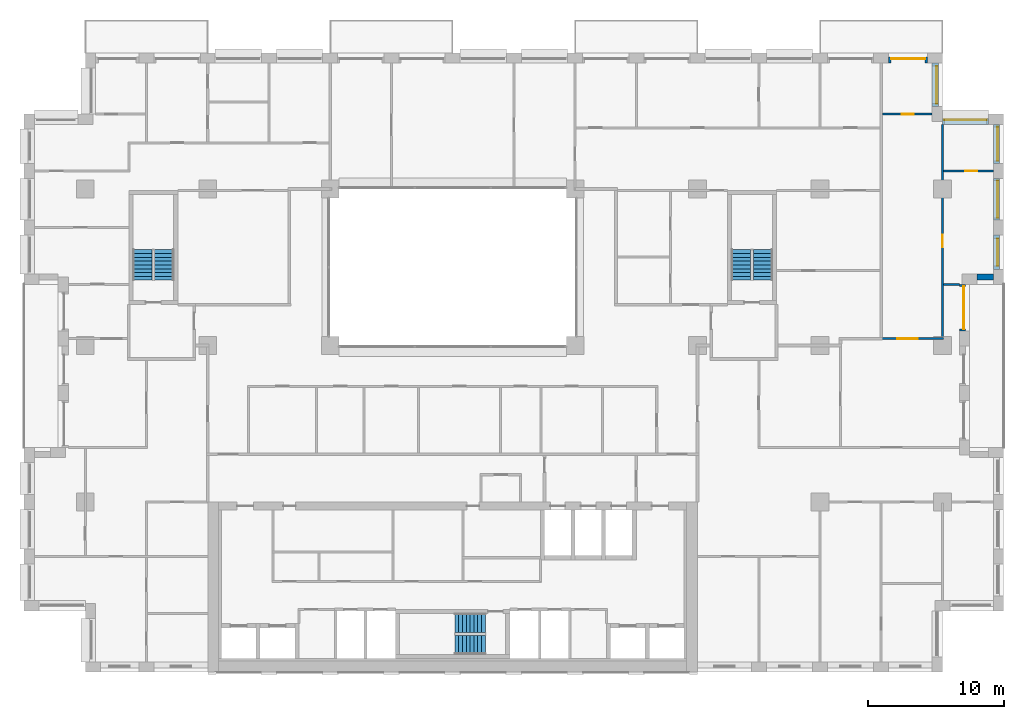
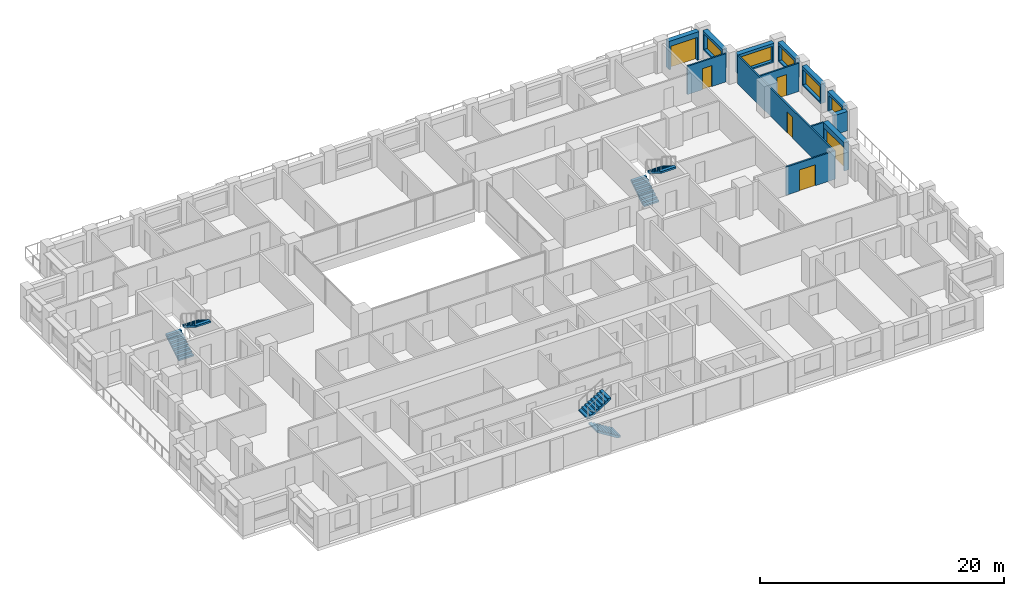
# One storey, part 15 of 17: 13 walls, 6 doors, 6 stair flights, 5 windows, 11 openings, 3 elements without a shape of their own.
"""IFC4 building model written with IfcOpenShell, lengths in metres."""

from ifc_helpers import new_model, si_unit, direction, frame, frame_2d, origin, place, context, subcontext, project, spatial, polyline, rectangle, outline, extrude, material, layer, layer_set, type_object, element, fill, aggregate, save


model = new_model("IFC4")

# Units and contexts
model_context = context("Model", 3, precision=1e-05, world=origin(), true_north=direction((0.0, 1.0)))
body_context = subcontext(model_context, "Body", "Model", "MODEL_VIEW")
ifc_project = project(units=[si_unit("LENGTHUNIT", "METRE"), si_unit("AREAUNIT", "SQUARE_METRE"), si_unit("VOLUMEUNIT", "CUBIC_METRE"), si_unit("PLANEANGLEUNIT", "RADIAN"), si_unit("MASSUNIT", "GRAM", prefix="KILO")], contexts=[model_context])

# Site, building, storey
site_placement = place(None, origin())
site = spatial("IfcSite", under=ifc_project, at=site_placement, CompositionType="ELEMENT")
building_placement = place(site_placement, origin())
building = spatial("IfcBuilding", under=site, at=building_placement, Name="Brigalow Station Residences", CompositionType="ELEMENT")
storey_placement = place(building_placement, frame((0.0, 0.0, 96.14990234375)))
storey = spatial("IfcBuildingStorey", under=building, at=storey_placement, Name="L27", CompositionType="ELEMENT", Elevation=96.14990234375)

# Wall, opening, door
ifc_material_1 = material(Name="Clay brick masonry", Category="masonry")
ifc_layer_1 = layer(ifc_material_1, 0.449951171875)
ifc_layer_set_1 = layer_set([ifc_layer_1], Name="BRICK INFILL WALL 450")
wall_type_1 = type_object("IfcWallType", Name="BRICK INFILL WALL 450", PredefinedType="SOLIDWALL", material=ifc_layer_set_1)
wall_1_placement = place(storey_placement, frame((73.47509765625, 25.050048828125, 0.0), z_axis=(0.0, 0.0, 1.0), x_axis=(0.0, 1.0, 0.0)))
wall_1 = element("IfcWall", 1, at=wall_1_placement, inside=storey, type_object=wall_type_1, Name="L27/ewall/W-L27-16", PredefinedType="SOLIDWALL", context=body_context, shape_type="SweptSolid", body=[
    extrude(rectangle(XDim=3.449951171875, YDim=0.449951171875, at=frame_2d((1.72509765625, 0.0))), origin(), (0.0, 0.0, 1.0), 2.830078125),
])
opening_1_placement = place(wall_1_placement, frame((0.14990234375, 0.0, 0.0)))
opening_1 = element("IfcOpeningElement", 2, at=opening_1_placement, cuts=wall_1, Name="Opening D-B3150", PredefinedType="OPENING", context=body_context, shape_type="SweptSolid", body=[
    extrude(rectangle(XDim=3.14990234375, YDim=2.300048828125, at=frame_2d((1.574951171875, 1.14990234375))), frame((0.0, 0.23486328125, 0.0), z_axis=(0.0, -1.0, 0.0), x_axis=(1.0, 0.0, 0.0)), (0.0, 0.0, 1.0), 0.469970703125),
])
ifc_material_2 = material(Name="Anodised aluminium frame with double glazing", Category="aluminium")
door_type_1 = type_object("IfcDoorType", Name="BALCONY SLIDING DOOR 3150x2300", OperationType="SLIDING_TO_LEFT", PredefinedType="DOOR", material=ifc_material_2)
door_1_placement = place(opening_1_placement, origin())
door_1 = element("IfcDoor", 3, at=door_1_placement, inside=storey, type_object=door_type_1, Name="L27/balcony-door/W-L27-16", OperationType="SLIDING_TO_LEFT", OverallHeight=2.300048828125, OverallWidth=3.14990234375, PredefinedType="DOOR", context=body_context, shape_type="SweptSolid", body=[
    extrude(rectangle(XDim=3.14990234375, YDim=2.300048828125, at=frame_2d((1.574951171875, 1.14990234375))), frame((0.0, -0.06982421875, 0.0), z_axis=(0.0, -1.0, 0.0), x_axis=(1.0, 0.0, 0.0)), (0.0, 0.0, 1.0), 0.050048828125),
])
fill(opening_1, door_1)

# Wall
wall_2_placement = place(storey_placement, frame((74.550048828125, 29.02490234375, 0.900146484375), z_axis=(0.0, 0.0, 1.0), x_axis=(1.0, 0.0, 0.0)))
element("IfcWall", 4, at=wall_2_placement, inside=storey, type_object=wall_type_1, Name="L27/ewall/W-L27-17", PredefinedType="SOLIDWALL", context=body_context, shape_type="SweptSolid", body=[
    extrude(rectangle(XDim=1.199951171875, YDim=0.449951171875, at=frame_2d((0.60009765625, 0.0))), origin(), (0.0, 0.0, 1.0), 1.929931640625),
])

# Wall, opening, window
wall_3_placement = place(storey_placement, frame((75.97509765625, 29.60009765625, 0.900146484375), z_axis=(0.0, 0.0, 1.0), x_axis=(0.0, 1.0, 0.0)))
wall_3 = element("IfcWall", 5, at=wall_3_placement, inside=storey, type_object=wall_type_1, Name="L27/ewall/W-L27-18", PredefinedType="SOLIDWALL", context=body_context, shape_type="SweptSolid", body=[
    extrude(rectangle(XDim=2.516845703125, YDim=0.449951171875, at=frame_2d((1.25830078125, 0.0))), origin(), (0.0, 0.0, 1.0), 1.929931640625),
])
opening_2_placement = place(wall_3_placement, frame((0.258544921875, 0.0, 0.14990234375)))
opening_2 = element("IfcOpeningElement", 6, at=opening_2_placement, cuts=wall_3, Name="Opening WT-7", PredefinedType="OPENING", context=body_context, shape_type="SweptSolid", body=[
    extrude(rectangle(XDim=2.0, YDim=1.5, at=frame_2d((1.0, 0.75))), frame((0.0, 0.23486328125, 0.0), z_axis=(0.0, -1.0, 0.0), x_axis=(1.0, 0.0, 0.0)), (0.0, 0.0, 1.0), 0.469970703125),
])
ifc_material_3 = material(Name="Anodised aluminium frame with double glazing", Category="aluminium")
window_type_1 = type_object("IfcWindowType", Name="WINDOW 2000x1500", PartitioningType="SINGLE_PANEL", PredefinedType="WINDOW", material=ifc_material_3)
window_1_placement = place(opening_2_placement, origin())
window_1 = element("IfcWindow", 7, at=window_1_placement, inside=storey, type_object=window_type_1, Name="L27/window/W-L27-18", OverallHeight=1.5, OverallWidth=2.0, PartitioningType="SINGLE_PANEL", PredefinedType="WINDOW", context=body_context, shape_type="SweptSolid", body=[
    extrude(rectangle(XDim=2.0, YDim=1.5, at=frame_2d((1.0, 0.75))), frame((0.0, -0.06494140625, 0.0), z_axis=(0.0, -1.0, 0.0), x_axis=(1.0, 0.0, 0.0)), (0.0, 0.0, 1.0), 0.06005859375),
])
fill(opening_2, window_1)

wall_4_placement = place(storey_placement, frame((75.97509765625, 33.217041015625, 0.900146484375), z_axis=(0.0, 0.0, 1.0), x_axis=(0.0, 1.0, 0.0)))
wall_4 = element("IfcWall", 8, at=wall_4_placement, inside=storey, type_object=wall_type_1, Name="L27/ewall/W-L27-19", PredefinedType="SOLIDWALL", context=body_context, shape_type="SweptSolid", body=[
    extrude(rectangle(XDim=3.06591796875, YDim=0.449951171875, at=frame_2d((1.532958984375, 0.0))), origin(), (0.0, 0.0, 1.0), 1.929931640625),
])
opening_3_placement = place(wall_4_placement, frame((0.157958984375, 0.0, 0.14990234375)))
opening_3 = element("IfcOpeningElement", 9, at=opening_3_placement, cuts=wall_4, Name="Opening WT-3", PredefinedType="OPENING", context=body_context, shape_type="SweptSolid", body=[
    extrude(rectangle(XDim=2.75, YDim=1.5, at=frame_2d((1.375, 0.75))), frame((0.0, 0.23486328125, 0.0), z_axis=(0.0, -1.0, 0.0), x_axis=(1.0, 0.0, 0.0)), (0.0, 0.0, 1.0), 0.469970703125),
])
ifc_material_4 = material(Name="Anodised aluminium frame with double glazing", Category="aluminium")
window_type_2 = type_object("IfcWindowType", Name="WINDOW 2750x1500", PartitioningType="SINGLE_PANEL", PredefinedType="WINDOW", material=ifc_material_4)
window_2_placement = place(opening_3_placement, origin())
window_2 = element("IfcWindow", 10, at=window_2_placement, inside=storey, type_object=window_type_2, Name="L27/window/W-L27-19", OverallHeight=1.5, OverallWidth=2.75, PartitioningType="SINGLE_PANEL", PredefinedType="WINDOW", context=body_context, shape_type="SweptSolid", body=[
    extrude(rectangle(XDim=2.75, YDim=1.5, at=frame_2d((1.375, 0.75))), frame((0.0, -0.06494140625, 0.0), z_axis=(0.0, -1.0, 0.0), x_axis=(1.0, 0.0, 0.0)), (0.0, 0.0, 1.0), 0.06005859375),
])
fill(opening_3, window_2)

wall_5_placement = place(storey_placement, frame((75.97509765625, 37.383056640625, 0.900146484375), z_axis=(0.0, 0.0, 1.0), x_axis=(0.0, 1.0, 0.0)))
wall_5 = element("IfcWall", 11, at=wall_5_placement, inside=storey, type_object=wall_type_1, Name="L27/ewall/W-L27-20", PredefinedType="SOLIDWALL", context=body_context, shape_type="SweptSolid", body=[
    extrude(rectangle(XDim=2.866943359375, YDim=0.449951171875, at=frame_2d((1.43359375, 0.0))), origin(), (0.0, 0.0, 1.0), 1.929931640625),
])
opening_4_placement = place(wall_5_placement, frame((0.18359375, 0.0, 0.14990234375)))
opening_4 = element("IfcOpeningElement", 12, at=opening_4_placement, cuts=wall_5, Name="Opening WT-5", PredefinedType="OPENING", context=body_context, shape_type="SweptSolid", body=[
    extrude(rectangle(XDim=2.5, YDim=1.5, at=frame_2d((1.25, 0.75))), frame((0.0, 0.23486328125, 0.0), z_axis=(0.0, -1.0, 0.0), x_axis=(1.0, 0.0, 0.0)), (0.0, 0.0, 1.0), 0.469970703125),
])
ifc_material_5 = material(Name="Anodised aluminium frame with double glazing", Category="aluminium")
window_type_3 = type_object("IfcWindowType", Name="WINDOW 2500x1500", PartitioningType="SINGLE_PANEL", PredefinedType="WINDOW", material=ifc_material_5)
window_3_placement = place(opening_4_placement, origin())
window_3 = element("IfcWindow", 13, at=window_3_placement, inside=storey, type_object=window_type_3, Name="L27/window/W-L27-20", OverallHeight=1.5, OverallWidth=2.5, PartitioningType="SINGLE_PANEL", PredefinedType="WINDOW", context=body_context, shape_type="SweptSolid", body=[
    extrude(rectangle(XDim=2.5, YDim=1.5, at=frame_2d((1.25, 0.75))), frame((0.0, -0.06494140625, 0.0), z_axis=(0.0, -1.0, 0.0), x_axis=(1.0, 0.0, 0.0)), (0.0, 0.0, 1.0), 0.06005859375),
])
fill(opening_4, window_3)

wall_6_placement = place(storey_placement, frame((75.39990234375, 40.47509765625, 0.900146484375), z_axis=(0.0, 0.0, 1.0), x_axis=(-1.0, 0.0, 0.0)))
wall_6 = element("IfcWall", 14, at=wall_6_placement, inside=storey, type_object=wall_type_1, Name="L27/ewall/W-L27-21", PredefinedType="SOLIDWALL", context=body_context, shape_type="SweptSolid", body=[
    extrude(rectangle(XDim=3.39990234375, YDim=0.449951171875, at=frame_2d((1.699951171875, 0.0))), origin(), (0.0, 0.0, 1.0), 1.929931640625),
])
opening_5_placement = place(wall_6_placement, frame((0.14990234375, 0.0, 0.14990234375)))
opening_5 = element("IfcOpeningElement", 15, at=opening_5_placement, cuts=wall_6, Name="Opening WT-8", PredefinedType="OPENING", context=body_context, shape_type="SweptSolid", body=[
    extrude(rectangle(XDim=3.10009765625, YDim=1.5, at=frame_2d((1.550048828125, 0.75))), frame((0.0, 0.23486328125, 0.0), z_axis=(0.0, -1.0, 0.0), x_axis=(1.0, 0.0, 0.0)), (0.0, 0.0, 1.0), 0.469970703125),
])
ifc_material_6 = material(Name="Anodised aluminium frame with double glazing", Category="aluminium")
window_type_4 = type_object("IfcWindowType", Name="WINDOW 3100x1500", PartitioningType="SINGLE_PANEL", PredefinedType="WINDOW", material=ifc_material_6)
window_4_placement = place(opening_5_placement, origin())
window_4 = element("IfcWindow", 16, at=window_4_placement, inside=storey, type_object=window_type_4, Name="L27/window/W-L27-21", OverallHeight=1.5, OverallWidth=3.10009765625, PartitioningType="SINGLE_PANEL", PredefinedType="WINDOW", context=body_context, shape_type="SweptSolid", body=[
    extrude(rectangle(XDim=3.10009765625, YDim=1.5, at=frame_2d((1.550048828125, 0.75))), frame((0.0, -0.06494140625, 0.0), z_axis=(0.0, -1.0, 0.0), x_axis=(1.0, 0.0, 0.0)), (0.0, 0.0, 1.0), 0.06005859375),
])
fill(opening_5, window_4)

wall_7_placement = place(storey_placement, frame((71.47509765625, 41.550048828125, 0.900146484375), z_axis=(0.0, 0.0, 1.0), x_axis=(0.0, 1.0, 0.0)))
wall_7 = element("IfcWall", 17, at=wall_7_placement, inside=storey, type_object=wall_type_1, Name="L27/ewall/W-L27-22", PredefinedType="SOLIDWALL", context=body_context, shape_type="SweptSolid", body=[
    extrude(rectangle(XDim=3.199951171875, YDim=0.449951171875, at=frame_2d((1.60009765625, 0.0))), origin(), (0.0, 0.0, 1.0), 1.929931640625),
])
opening_6_placement = place(wall_7_placement, frame((0.22509765625, 0.0, 0.14990234375)))
opening_6 = element("IfcOpeningElement", 18, at=opening_6_placement, cuts=wall_7, Name="Opening WT-3", PredefinedType="OPENING", context=body_context, shape_type="SweptSolid", body=[
    extrude(rectangle(XDim=2.75, YDim=1.5, at=frame_2d((1.375, 0.75))), frame((0.0, 0.23486328125, 0.0), z_axis=(0.0, -1.0, 0.0), x_axis=(1.0, 0.0, 0.0)), (0.0, 0.0, 1.0), 0.469970703125),
])
window_5_placement = place(opening_6_placement, origin())
window_5 = element("IfcWindow", 19, at=window_5_placement, inside=storey, type_object=window_type_2, Name="L27/window/W-L27-22", OverallHeight=1.5, OverallWidth=2.75, PartitioningType="SINGLE_PANEL", PredefinedType="WINDOW", context=body_context, shape_type="SweptSolid", body=[
    extrude(rectangle(XDim=2.75, YDim=1.5, at=frame_2d((1.375, 0.75))), frame((0.0, -0.06494140625, 0.0), z_axis=(0.0, -1.0, 0.0), x_axis=(1.0, 0.0, 0.0)), (0.0, 0.0, 1.0), 0.06005859375),
])
fill(opening_6, window_5)

# Wall, opening, door
wall_8_placement = place(storey_placement, frame((70.89990234375, 44.97509765625, 0.0), z_axis=(0.0, 0.0, 1.0), x_axis=(-1.0, 0.0, 0.0)))
wall_8 = element("IfcWall", 20, at=wall_8_placement, inside=storey, type_object=wall_type_1, Name="L27/ewall/W-L27-23", PredefinedType="SOLIDWALL", context=body_context, shape_type="SweptSolid", body=[
    extrude(rectangle(XDim=2.849853515625, YDim=0.449951171875, at=frame_2d((1.4248046875, 0.0))), origin(), (0.0, 0.0, 1.0), 2.830078125),
])
opening_7_placement = place(wall_8_placement, frame((0.175048828125, 0.0, 0.0)))
opening_7 = element("IfcOpeningElement", 21, at=opening_7_placement, cuts=wall_8, Name="Opening D-B2500", PredefinedType="OPENING", context=body_context, shape_type="SweptSolid", body=[
    extrude(rectangle(XDim=2.5, YDim=2.300048828125, at=frame_2d((1.25, 1.14990234375))), frame((0.0, 0.23486328125, 0.0), z_axis=(0.0, -1.0, 0.0), x_axis=(1.0, 0.0, 0.0)), (0.0, 0.0, 1.0), 0.469970703125),
])
ifc_material_7 = material(Name="Anodised aluminium frame with double glazing", Category="aluminium")
door_type_2 = type_object("IfcDoorType", Name="BALCONY SLIDING DOOR 2500x2300", OperationType="SLIDING_TO_LEFT", PredefinedType="DOOR", material=ifc_material_7)
door_2_placement = place(opening_7_placement, origin())
door_2 = element("IfcDoor", 22, at=door_2_placement, inside=storey, type_object=door_type_2, Name="L27/balcony-door/W-L27-23", OperationType="SLIDING_TO_LEFT", OverallHeight=2.300048828125, OverallWidth=2.5, PredefinedType="DOOR", context=body_context, shape_type="SweptSolid", body=[
    extrude(rectangle(XDim=2.5, YDim=2.300048828125, at=frame_2d((1.25, 1.14990234375))), frame((0.0, -0.06982421875, 0.0), z_axis=(0.0, -1.0, 0.0), x_axis=(1.0, 0.0, 0.0)), (0.0, 0.0, 1.0), 0.050048828125),
])
fill(opening_7, door_2)

ifc_material_8 = material(Name="Plasterboard on steel stud partition", Category="steel")
ifc_layer_2 = layer(ifc_material_8, 0.14990234375)
ifc_layer_set_2 = layer_set([ifc_layer_2], Name="FLAT PARTITION 150")
wall_type_2 = type_object("IfcWallType", Name="FLAT PARTITION 150", PredefinedType="PARTITIONING", material=ifc_layer_set_2)
wall_9_placement = place(storey_placement, frame((67.39990234375, 24.5, 0.0), z_axis=(0.0, 0.0, 1.0), x_axis=(1.0, 0.0, 0.0)))
wall_9 = element("IfcWall", 23, at=wall_9_placement, inside=storey, type_object=wall_type_2, Name="PW-2B19", PredefinedType="PARTITIONING", context=body_context, shape_type="SweptSolid", body=[
    extrude(rectangle(XDim=4.675048828125, YDim=0.14990234375, at=frame_2d((2.33740234375, 0.0))), origin(), (0.0, 0.0, 1.0), 2.830078125),
])
opening_8_placement = place(wall_9_placement, frame((1.27490234375, 0.0, 0.0)))
opening_8 = element("IfcOpeningElement", 24, at=opening_8_placement, cuts=wall_9, Name="Opening D-2B43", PredefinedType="OPENING", context=body_context, shape_type="SweptSolid", body=[
    extrude(rectangle(XDim=1.5, YDim=2.10009765625, at=frame_2d((0.75, 1.050048828125))), frame((0.0, 0.0849609375, 0.0), z_axis=(0.0, -1.0, 0.0), x_axis=(1.0, 0.0, 0.0)), (0.0, 0.0, 1.0), 0.169921875),
])
ifc_material_9 = material(Name="Solid-core timber door leaf", Category="wood")
door_type_3 = type_object("IfcDoorType", Name="INTERNAL DOUBLE DOOR 1500 x 2100", OperationType="DOUBLE_DOOR_SINGLE_SWING", PredefinedType="DOOR", material=ifc_material_9)
door_3_placement = place(opening_8_placement, origin())
door_3 = element("IfcDoor", 25, at=door_3_placement, inside=storey, type_object=door_type_3, Name="D-2B43", OperationType="DOUBLE_DOOR_SINGLE_SWING", OverallHeight=2.10009765625, OverallWidth=1.5, PredefinedType="DOOR", context=body_context, shape_type="SweptSolid", body=[
    extrude(rectangle(XDim=1.5, YDim=2.10009765625, at=frame_2d((0.75, 1.050048828125))), frame((0.0, 0.02490234375, 0.0), z_axis=(0.0, -1.0, 0.0), x_axis=(1.0, 0.0, 0.0)), (0.0, 0.0, 1.0), 0.050048828125),
])
fill(opening_8, door_3)

# Wall
wall_10_placement = place(storey_placement, frame((72.074951171875, 28.5, 0.0), z_axis=(0.0, 0.0, 1.0), x_axis=(1.0, 0.0, 0.0)))
element("IfcWall", 26, at=wall_10_placement, inside=storey, type_object=wall_type_2, Name="PW-2B22", PredefinedType="PARTITIONING", context=body_context, shape_type="SweptSolid", body=[
    extrude(rectangle(XDim=1.175048828125, YDim=0.14990234375, at=frame_2d((0.58740234375, 0.0))), origin(), (0.0, 0.0, 1.0), 2.830078125),
])

# Wall, opening, door
wall_11_placement = place(storey_placement, frame((72.074951171875, 36.8330078125, 0.0), z_axis=(0.0, 0.0, 1.0), x_axis=(1.0, 0.0, 0.0)))
wall_11 = element("IfcWall", 27, at=wall_11_placement, inside=storey, type_object=wall_type_2, Name="PW-2B25", PredefinedType="PARTITIONING", context=body_context, shape_type="SweptSolid", body=[
    extrude(rectangle(XDim=3.675048828125, YDim=0.14990234375, at=frame_2d((1.83740234375, 0.0))), origin(), (0.0, 0.0, 1.0), 2.830078125),
])
opening_9_placement = place(wall_11_placement, frame((1.60009765625, 0.0, 0.0)))
opening_9 = element("IfcOpeningElement", 28, at=opening_9_placement, cuts=wall_11, Name="Opening D-2B45", PredefinedType="OPENING", context=body_context, shape_type="SweptSolid", body=[
    extrude(rectangle(XDim=0.89990234375, YDim=2.10009765625, at=frame_2d((0.449951171875, 1.050048828125))), frame((0.0, 0.0849609375, 0.0), z_axis=(0.0, -1.0, 0.0), x_axis=(1.0, 0.0, 0.0)), (0.0, 0.0, 1.0), 0.169921875),
])
ifc_material_10 = material(Name="Solid-core timber door leaf", Category="wood")
door_type_4 = type_object("IfcDoorType", Name="INTERNAL DOOR 900 x 2100", OperationType="SINGLE_SWING_LEFT", PredefinedType="DOOR", material=ifc_material_10)
door_4_placement = place(opening_9_placement, origin())
door_4 = element("IfcDoor", 29, at=door_4_placement, inside=storey, type_object=door_type_4, Name="D-2B45", OperationType="SINGLE_SWING_RIGHT", OverallHeight=2.10009765625, OverallWidth=0.89990234375, PredefinedType="DOOR", context=body_context, shape_type="SweptSolid", body=[
    extrude(rectangle(XDim=0.89990234375, YDim=2.10009765625, at=frame_2d((0.449951171875, 1.050048828125))), frame((0.0, 0.02490234375, 0.0), z_axis=(0.0, -1.0, 0.0), x_axis=(1.0, 0.0, 0.0)), (0.0, 0.0, 1.0), 0.050048828125),
])
fill(opening_9, door_4)

wall_12_placement = place(storey_placement, frame((67.60009765625, 41.0, 0.0), z_axis=(0.0, 0.0, 1.0), x_axis=(1.0, 0.0, 0.0)))
wall_12 = element("IfcWall", 30, at=wall_12_placement, inside=storey, type_object=wall_type_2, Name="PW-2B31", PredefinedType="PARTITIONING", context=body_context, shape_type="SweptSolid", body=[
    extrude(rectangle(XDim=3.64990234375, YDim=0.14990234375, at=frame_2d((1.824951171875, 0.0))), origin(), (0.0, 0.0, 1.0), 2.830078125),
])
opening_10_placement = place(wall_12_placement, frame((1.39990234375, 0.0, 0.0)))
opening_10 = element("IfcOpeningElement", 31, at=opening_10_placement, cuts=wall_12, Name="Opening D-2B46", PredefinedType="OPENING", context=body_context, shape_type="SweptSolid", body=[
    extrude(rectangle(XDim=0.89990234375, YDim=2.10009765625, at=frame_2d((0.449951171875, 1.050048828125))), frame((0.0, 0.0849609375, 0.0), z_axis=(0.0, -1.0, 0.0), x_axis=(1.0, 0.0, 0.0)), (0.0, 0.0, 1.0), 0.169921875),
])
door_5_placement = place(opening_10_placement, origin())
door_5 = element("IfcDoor", 32, at=door_5_placement, inside=storey, type_object=door_type_4, Name="D-2B46", OperationType="SINGLE_SWING_RIGHT", OverallHeight=2.10009765625, OverallWidth=0.89990234375, PredefinedType="DOOR", context=body_context, shape_type="SweptSolid", body=[
    extrude(rectangle(XDim=0.89990234375, YDim=2.10009765625, at=frame_2d((0.449951171875, 1.050048828125))), frame((0.0, 0.02490234375, 0.0), z_axis=(0.0, -1.0, 0.0), x_axis=(1.0, 0.0, 0.0)), (0.0, 0.0, 1.0), 0.050048828125),
])
fill(opening_10, door_5)

wall_13_placement = place(storey_placement, frame((72.0, 24.574951171875, 0.0), z_axis=(0.0, 0.0, 1.0), x_axis=(0.0, 1.0, 0.0)))
wall_13 = element("IfcWall", 33, at=wall_13_placement, inside=storey, type_object=wall_type_2, Name="PW-2B68", PredefinedType="PARTITIONING", context=body_context, shape_type="SweptSolid", body=[
    extrude(rectangle(XDim=15.675048828125, YDim=0.14990234375, at=frame_2d((7.83740234375, 0.0))), origin(), (0.0, 0.0, 1.0), 2.830078125),
])
opening_11_placement = place(wall_13_placement, frame((6.64990234375, 0.0, 0.0)))
opening_11 = element("IfcOpeningElement", 34, at=opening_11_placement, cuts=wall_13, Name="Opening D-2B44", PredefinedType="OPENING", context=body_context, shape_type="SweptSolid", body=[
    extrude(rectangle(XDim=0.89990234375, YDim=2.10009765625, at=frame_2d((0.449951171875, 1.050048828125))), frame((0.0, 0.0849609375, 0.0), z_axis=(0.0, -1.0, 0.0), x_axis=(1.0, 0.0, 0.0)), (0.0, 0.0, 1.0), 0.169921875),
])
door_6_placement = place(opening_11_placement, frame((0.89990234375, 0.0, 0.0), z_axis=(0.0, 0.0, 1.0), x_axis=(-1.0, 0.0, 0.0)))
door_6 = element("IfcDoor", 35, at=door_6_placement, inside=storey, type_object=door_type_4, Name="D-2B44", OperationType="SINGLE_SWING_RIGHT", OverallHeight=2.10009765625, OverallWidth=0.89990234375, PredefinedType="DOOR", context=body_context, shape_type="SweptSolid", body=[
    extrude(rectangle(XDim=0.89990234375, YDim=2.10009765625, at=frame_2d((0.449951171875, 1.050048828125))), frame((0.0, 0.02490234375, 0.0), z_axis=(0.0, -1.0, 0.0), x_axis=(1.0, 0.0, 0.0)), (0.0, 0.0, 1.0), 0.050048828125),
])
fill(opening_11, door_6)

# Stair, stair flights
ifc_material_11 = material(Name="Concrete C50", Category="concrete")
stair_type = type_object("IfcStairType", Name="EXIT STAIR 1400 2 FLIGHT", PredefinedType="HALF_TURN_STAIR", material=ifc_material_11)
stair_1_placement = place(storey_placement, origin())
stair_1 = element("IfcStair", 36, at=stair_1_placement, inside=storey, type_object=stair_type, Name="EXIT STAIR S2 L27", PredefinedType="HALF_TURN_STAIR")
ifc_material_12 = material(Name="Concrete C50", Category="concrete")
stair_flight_type = type_object("IfcStairFlightType", Name="STAIR FLIGHT 1400", PredefinedType="STRAIGHT", material=ifc_material_12)
stair_flight_1_placement = place(storey_placement, frame((38.39990234375, 2.0, 0.0), z_axis=(0.0, 0.0, 1.0), x_axis=(-1.0, 0.0, 0.0)))
stair_flight_1 = element("IfcStairFlight", 37, at=stair_flight_1_placement, type_object=stair_flight_type, Name="ST-2 flight 1", NumberOfRisers=9, NumberOfTreads=8, PredefinedType="STRAIGHT", RiserHeight=0.175, TreadLength=0.28, context=body_context, shape_type="SweptSolid", body=[
    extrude(outline(polyline([(0.0, 0.0), (0.0, 0.175048828125), (0.280029296875, 0.175048828125), (0.280029296875, 0.35009765625), (0.56005859375, 0.35009765625), (0.56005859375, 0.52490234375), (0.840087890625, 0.52490234375), (0.840087890625, 0.699951171875), (1.1201171875, 0.699951171875), (1.1201171875, 0.875), (1.39990234375, 0.875), (1.39990234375, 1.050048828125), (1.679931640625, 1.050048828125), (1.679931640625, 1.22509765625), (1.9599609375, 1.22509765625), (1.9599609375, 1.39990234375), (2.239990234375, 1.39990234375), (2.239990234375, 1.574951171875), (2.239990234375, 1.22314453125), (0.28271484375, 0.0), (0.0, 0.0)])), frame((0.0, 0.699951171875, 0.0), z_axis=(0.0, -1.0, 0.0), x_axis=(1.0, 0.0, 0.0)), (0.0, 0.0, 1.0), 1.39990234375),
])
stair_flight_2_placement = place(storey_placement, frame((36.159912109375, 3.60009765625, 1.5751953125), z_axis=(0.0, 0.0, 1.0), x_axis=(1.0, 0.0, 0.0)))
stair_flight_2 = element("IfcStairFlight", 38, at=stair_flight_2_placement, type_object=stair_flight_type, Name="ST-2 flight 2", NumberOfRisers=9, NumberOfTreads=8, PredefinedType="STRAIGHT", RiserHeight=0.175, TreadLength=0.28, context=body_context, shape_type="SweptSolid", body=[
    extrude(outline(polyline([(0.0, 0.0), (0.0, 0.175048828125), (0.280029296875, 0.175048828125), (0.280029296875, 0.35009765625), (0.56005859375, 0.35009765625), (0.56005859375, 0.52490234375), (0.840087890625, 0.52490234375), (0.840087890625, 0.699951171875), (1.1201171875, 0.699951171875), (1.1201171875, 0.875), (1.39990234375, 0.875), (1.39990234375, 1.050048828125), (1.679931640625, 1.050048828125), (1.679931640625, 1.22509765625), (1.9599609375, 1.22509765625), (1.9599609375, 1.39990234375), (2.239990234375, 1.39990234375), (2.239990234375, 1.574951171875), (2.239990234375, 1.22314453125), (0.28271484375, 0.0), (0.0, 0.0)])), frame((0.0, 0.699951171875, 0.0), z_axis=(0.0, -1.0, 0.0), x_axis=(1.0, 0.0, 0.0)), (0.0, 0.0, 1.0), 1.39990234375),
])
aggregate(stair_1, [stair_flight_1, stair_flight_2])

stair_2_placement = place(storey_placement, origin())
stair_2 = element("IfcStair", 39, at=stair_2_placement, inside=storey, type_object=stair_type, Name="EXIT STAIR S1 L27", PredefinedType="HALF_TURN_STAIR")
stair_flight_3_placement = place(storey_placement, frame((13.199951171875, 28.800048828125, 0.0), z_axis=(0.0, 0.0, 1.0), x_axis=(0.0, 1.0, 0.0)))
stair_flight_3 = element("IfcStairFlight", 40, at=stair_flight_3_placement, type_object=stair_flight_type, Name="ST-1 flight 1", NumberOfRisers=9, NumberOfTreads=8, PredefinedType="STRAIGHT", RiserHeight=0.175, TreadLength=0.28, context=body_context, shape_type="SweptSolid", body=[
    extrude(outline(polyline([(0.0, 0.0), (0.0, 0.175048828125), (0.280029296875, 0.175048828125), (0.280029296875, 0.35009765625), (0.56005859375, 0.35009765625), (0.56005859375, 0.52490234375), (0.840087890625, 0.52490234375), (0.840087890625, 0.699951171875), (1.1201171875, 0.699951171875), (1.1201171875, 0.875), (1.39990234375, 0.875), (1.39990234375, 1.050048828125), (1.679931640625, 1.050048828125), (1.679931640625, 1.22509765625), (1.9599609375, 1.22509765625), (1.9599609375, 1.39990234375), (2.239990234375, 1.39990234375), (2.239990234375, 1.574951171875), (2.239990234375, 1.22314453125), (0.28271484375, 0.0), (0.0, 0.0)])), frame((0.0, 0.699951171875, 0.0), z_axis=(0.0, -1.0, 0.0), x_axis=(1.0, 0.0, 0.0)), (0.0, 0.0, 1.0), 1.39990234375),
])
stair_flight_4_placement = place(storey_placement, frame((14.800048828125, 31.0400390625, 1.5751953125), z_axis=(0.0, 0.0, 1.0), x_axis=(0.0, -1.0, 0.0)))
stair_flight_4 = element("IfcStairFlight", 41, at=stair_flight_4_placement, type_object=stair_flight_type, Name="ST-1 flight 2", NumberOfRisers=9, NumberOfTreads=8, PredefinedType="STRAIGHT", RiserHeight=0.175, TreadLength=0.28, context=body_context, shape_type="SweptSolid", body=[
    extrude(outline(polyline([(0.0, 0.0), (0.0, 0.175048828125), (0.280029296875, 0.175048828125), (0.280029296875, 0.35009765625), (0.56005859375, 0.35009765625), (0.56005859375, 0.52490234375), (0.840087890625, 0.52490234375), (0.840087890625, 0.699951171875), (1.1201171875, 0.699951171875), (1.1201171875, 0.875), (1.39990234375, 0.875), (1.39990234375, 1.050048828125), (1.679931640625, 1.050048828125), (1.679931640625, 1.22509765625), (1.9599609375, 1.22509765625), (1.9599609375, 1.39990234375), (2.239990234375, 1.39990234375), (2.239990234375, 1.574951171875), (2.239990234375, 1.22314453125), (0.28271484375, 0.0), (0.0, 0.0)])), frame((0.0, 0.699951171875, 0.0), z_axis=(0.0, -1.0, 0.0), x_axis=(1.0, 0.0, 0.0)), (0.0, 0.0, 1.0), 1.39990234375),
])
aggregate(stair_2, [stair_flight_3, stair_flight_4])

stair_3_placement = place(storey_placement, origin())
stair_3 = element("IfcStair", 42, at=stair_3_placement, inside=storey, type_object=stair_type, Name="EXIT STAIR S3 L27", PredefinedType="HALF_TURN_STAIR")
stair_flight_5_placement = place(storey_placement, frame((57.199951171875, 28.800048828125, 0.0), z_axis=(0.0, 0.0, 1.0), x_axis=(0.0, 1.0, 0.0)))
stair_flight_5 = element("IfcStairFlight", 43, at=stair_flight_5_placement, type_object=stair_flight_type, Name="ST-3 flight 1", NumberOfRisers=9, NumberOfTreads=8, PredefinedType="STRAIGHT", RiserHeight=0.175, TreadLength=0.28, context=body_context, shape_type="SweptSolid", body=[
    extrude(outline(polyline([(0.0, 0.0), (0.0, 0.175048828125), (0.280029296875, 0.175048828125), (0.280029296875, 0.35009765625), (0.56005859375, 0.35009765625), (0.56005859375, 0.52490234375), (0.840087890625, 0.52490234375), (0.840087890625, 0.699951171875), (1.1201171875, 0.699951171875), (1.1201171875, 0.875), (1.39990234375, 0.875), (1.39990234375, 1.050048828125), (1.679931640625, 1.050048828125), (1.679931640625, 1.22509765625), (1.9599609375, 1.22509765625), (1.9599609375, 1.39990234375), (2.239990234375, 1.39990234375), (2.239990234375, 1.574951171875), (2.239990234375, 1.22314453125), (0.28271484375, 0.0), (0.0, 0.0)])), frame((0.0, 0.699951171875, 0.0), z_axis=(0.0, -1.0, 0.0), x_axis=(1.0, 0.0, 0.0)), (0.0, 0.0, 1.0), 1.39990234375),
])
stair_flight_6_placement = place(storey_placement, frame((58.800048828125, 31.0400390625, 1.5751953125), z_axis=(0.0, 0.0, 1.0), x_axis=(0.0, -1.0, 0.0)))
stair_flight_6 = element("IfcStairFlight", 44, at=stair_flight_6_placement, type_object=stair_flight_type, Name="ST-3 flight 2", NumberOfRisers=9, NumberOfTreads=8, PredefinedType="STRAIGHT", RiserHeight=0.175, TreadLength=0.28, context=body_context, shape_type="SweptSolid", body=[
    extrude(outline(polyline([(0.0, 0.0), (0.0, 0.175048828125), (0.280029296875, 0.175048828125), (0.280029296875, 0.35009765625), (0.56005859375, 0.35009765625), (0.56005859375, 0.52490234375), (0.840087890625, 0.52490234375), (0.840087890625, 0.699951171875), (1.1201171875, 0.699951171875), (1.1201171875, 0.875), (1.39990234375, 0.875), (1.39990234375, 1.050048828125), (1.679931640625, 1.050048828125), (1.679931640625, 1.22509765625), (1.9599609375, 1.22509765625), (1.9599609375, 1.39990234375), (2.239990234375, 1.39990234375), (2.239990234375, 1.574951171875), (2.239990234375, 1.22314453125), (0.28271484375, 0.0), (0.0, 0.0)])), frame((0.0, 0.699951171875, 0.0), z_axis=(0.0, -1.0, 0.0), x_axis=(1.0, 0.0, 0.0)), (0.0, 0.0, 1.0), 1.39990234375),
])
aggregate(stair_3, [stair_flight_5, stair_flight_6])

save(model, "model.ifc")
